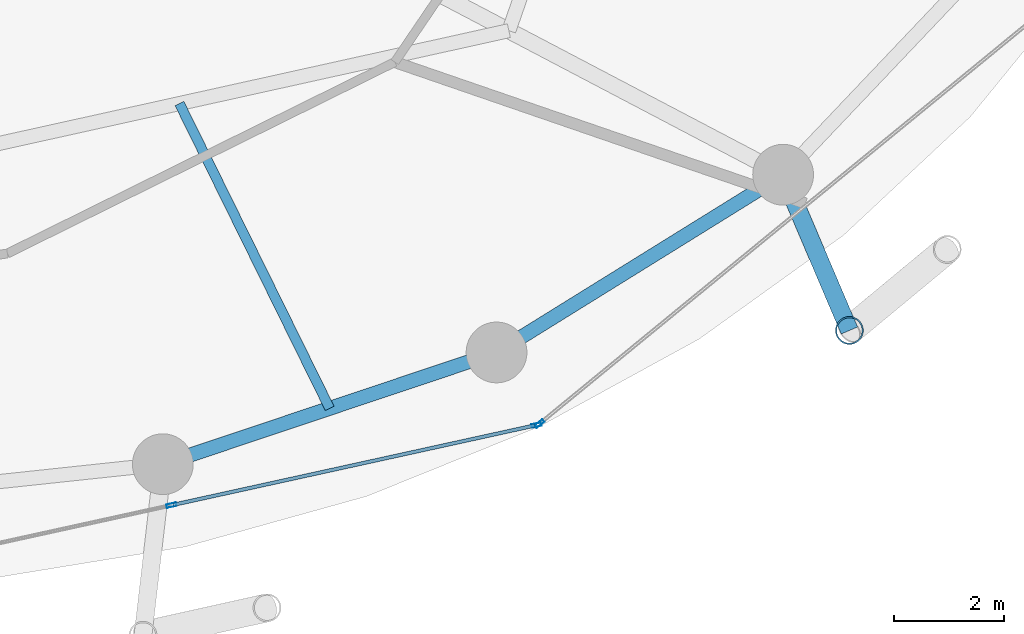
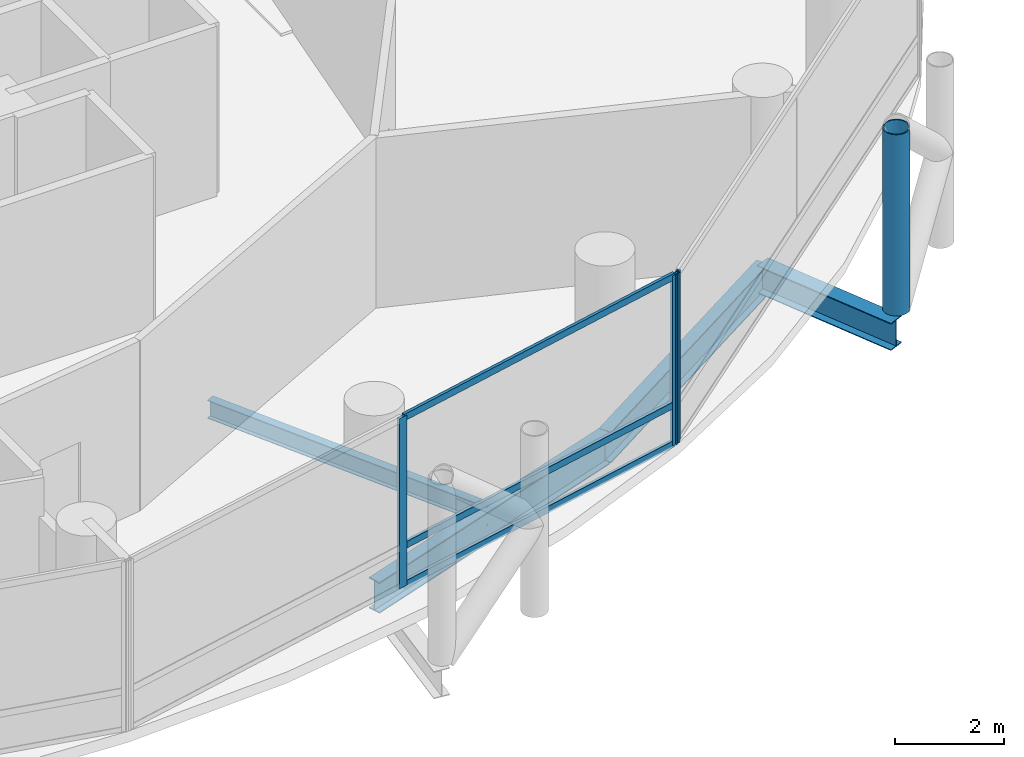
# One storey, part 8 of 24: 7 members, 4 beams, 2 elements without a shape of their own.
"""IFC4 building model written with IfcOpenShell, lengths in metres."""

from ifc_helpers import new_model, si_unit, direction, frame, origin, origin_2d, place, context, subcontext, project, spatial, hollow_rectangle, hollow_circle, i_section, extrude, material, layer, layer_set, material_profile, profile_set, type_object, element, aggregate, save


model = new_model("IFC4")

# Units and contexts
model_context = context("Model", 3, precision=1e-05, world=origin(), true_north=direction((0.0, 1.0)))
body_context = subcontext(model_context, "Body", "Model", "MODEL_VIEW")
ifc_project = project(units=[si_unit("LENGTHUNIT", "METRE"), si_unit("AREAUNIT", "SQUARE_METRE"), si_unit("VOLUMEUNIT", "CUBIC_METRE"), si_unit("PLANEANGLEUNIT", "RADIAN"), si_unit("MASSUNIT", "GRAM", prefix="KILO")], contexts=[model_context])

# Site, building, storey
site_placement = place(None, origin())
site = spatial("IfcSite", under=ifc_project, at=site_placement, CompositionType="ELEMENT")
building_placement = place(site_placement, origin())
building = spatial("IfcBuilding", under=site, at=building_placement, Name="Nuhasar Tower", CompositionType="ELEMENT")
storey_placement = place(building_placement, frame((0.0, 0.0, 69.60009765625)))
storey = spatial("IfcBuildingStorey", under=building, at=storey_placement, Name="L16", CompositionType="ELEMENT", Elevation=69.60009765625)

# Beams
ifc_material_1 = material(Name="Steel S355", Category="steel")
ifc_material_profile_1 = material_profile(ifc_material_1, i_section(OverallWidth=0.177978515625, OverallDepth=0.406005859375, WebThickness=0.0078125, FlangeThickness=0.0126953125, at=origin_2d()), Name="W16X40")
ifc_profile_set_1 = profile_set([ifc_material_profile_1], Name="Steel S355")
beam_type_1 = type_object("IfcBeamType", Name="BM-JST-W16X40", PredefinedType="JOIST", material=ifc_profile_set_1)
beam_1_placement = place(storey_placement, frame((45.783935546875, 13.77001953125, -0.453125), z_axis=(0.442126747458, -0.89695258469, 0.0), x_axis=(0.89695258469, 0.442126747458, 0.0)))
element("IfcBeam", 1, at=beam_1_placement, inside=storey, type_object=beam_type_1, Name="L16 Secondary Floor Joist 02", PredefinedType="JOIST", context=body_context, shape_type="SweptSolid", body=[
    extrude(i_section(OverallWidth=0.177978515625, OverallDepth=0.406005859375, WebThickness=0.0078125, FlangeThickness=0.0126953125, at=origin_2d()), origin(), (0.0, 0.0, 1.0), 6.152099609375),
])
ifc_material_profile_2 = material_profile(ifc_material_1, i_section(OverallWidth=0.256103515625, OverallDepth=0.693115234375, WebThickness=0.014404296875, FlangeThickness=0.023681640625, at=origin_2d()), Name="W27X114")
ifc_profile_set_2 = profile_set([ifc_material_profile_2], Name="Steel S355")
beam_type_2 = type_object("IfcBeamType", Name="BM-RING-W27X114", PredefinedType="SPANDREL", material=ifc_profile_set_2)
beam_2_placement = place(storey_placement, frame((45.48291015625, 7.239990234375, -0.59716796875), z_axis=(0.94826097201, 0.317491935271, 0.0), x_axis=(-0.317491935271, 0.94826097201, 0.0)))
element("IfcBeam", 2, at=beam_2_placement, inside=storey, type_object=beam_type_2, Name="L16 Perimeter Ring Spandrel 20", PredefinedType="SPANDREL", context=body_context, shape_type="SweptSolid", body=[
    extrude(i_section(OverallWidth=0.256103515625, OverallDepth=0.693115234375, WebThickness=0.014404296875, FlangeThickness=0.023681640625, at=origin_2d()), origin(), (0.0, 0.0, 1.0), 6.37158203125),
])
beam_3_placement = place(storey_placement, frame((51.52490234375, 9.262939453125, -0.59716796875), z_axis=(0.849795216549, 0.527112976439, 0.0), x_axis=(-0.527112976439, 0.849795216549, 0.0)))
element("IfcBeam", 3, at=beam_3_placement, inside=storey, type_object=beam_type_2, Name="L16 Perimeter Ring Spandrel 21", PredefinedType="SPANDREL", context=body_context, shape_type="SweptSolid", body=[
    extrude(i_section(OverallWidth=0.256103515625, OverallDepth=0.693115234375, WebThickness=0.014404296875, FlangeThickness=0.023681640625, at=origin_2d()), origin(), (0.0, 0.0, 1.0), 6.10498046875),
])
ifc_material_profile_3 = material_profile(ifc_material_1, i_section(OverallWidth=0.323974609375, OverallDepth=0.611083984375, WebThickness=0.0126953125, FlangeThickness=0.01904296875, at=origin_2d()), Name="W24X104")
ifc_profile_set_3 = profile_set([ifc_material_profile_3], Name="Steel S355")
beam_type_3 = type_object("IfcBeamType", Name="BM-TIE-W24X104", PredefinedType="BEAM", material=ifc_profile_set_3)
beam_4_placement = place(storey_placement, frame((56.712890625, 12.48095703125, -0.55615234375), z_axis=(0.391601084021, -0.920135093882, 0.0), x_axis=(0.920135093882, 0.391601084021, 0.0)))
element("IfcBeam", 4, at=beam_4_placement, inside=storey, type_object=beam_type_3, Name="L16 Exoskeleton Node Tie Beam 11", PredefinedType="BEAM", context=body_context, shape_type="SweptSolid", body=[
    extrude(i_section(OverallWidth=0.323974609375, OverallDepth=0.611083984375, WebThickness=0.0126953125, FlangeThickness=0.01904296875, at=origin_2d()), origin(), (0.0, 0.0, 1.0), 3.06494140625),
])

# Curtain wall, members
ifc_material_2 = material(Name="Aluminium 6063-T6", Category="aluminium")
ifc_layer = layer(ifc_material_2, 0.199951171875)
ifc_layer_set = layer_set([ifc_layer], Name="Aluminium 6063-T6")
curtain_wall_type = type_object("IfcCurtainWallType", Name="CW-Z1-OFF", PredefinedType="NOTDEFINED", material=ifc_layer_set)
curtain_wall_1_placement = place(storey_placement, origin())
curtain_wall_1 = element("IfcCurtainWall", 5, at=curtain_wall_1_placement, inside=storey, type_object=curtain_wall_type, Name="L16 Unitised Curtain Wall 10", PredefinedType="NOTDEFINED")
ifc_material_profile_4 = material_profile(ifc_material_2, hollow_rectangle(XDim=0.06494140625, YDim=0.179931640625, WallThickness=0.0048828125, at=origin_2d()), Name="CWM-2")
ifc_profile_set_4 = profile_set([ifc_material_profile_4], Name="Aluminium 6063-T6")
member_type_1 = type_object("IfcMemberType", Name="CW-MUL-S2", PredefinedType="MULLION", material=ifc_profile_set_4)
member_1_placement = place(storey_placement, frame((45.639892578125, 6.49755859375, 0.0), z_axis=(0.0, 0.0, 1.0), x_axis=(-0.214398737637, 0.976746221544, 0.0)))
member_1 = element("IfcMember", 6, at=member_1_placement, type_object=member_type_1, Name="CW-Z1 mullion 2", PredefinedType="MULLION", context=body_context, shape_type="SweptSolid", body=[
    extrude(hollow_rectangle(XDim=0.06494140625, YDim=0.179931640625, WallThickness=0.0048828125, at=origin_2d()), origin(), (0.0, 0.0, 1.0), 3.7998046875),
])
member_2_placement = place(storey_placement, frame((52.248291015625, 7.947998046875, 0.0), z_axis=(0.0, 0.0, 1.0), x_axis=(-0.214398737637, 0.976746221544, 0.0)))
member_2 = element("IfcMember", 7, at=member_2_placement, type_object=member_type_1, Name="CW-Z1 mullion 3", PredefinedType="MULLION", context=body_context, shape_type="SweptSolid", body=[
    extrude(hollow_rectangle(XDim=0.06494140625, YDim=0.179931640625, WallThickness=0.0048828125, at=origin_2d()), origin(), (0.0, 0.0, 1.0), 3.7998046875),
])

# Curtain wall, member
curtain_wall_2_placement = place(storey_placement, origin())
curtain_wall_2 = element("IfcCurtainWall", 8, at=curtain_wall_2_placement, inside=storey, type_object=curtain_wall_type, Name="L16 Unitised Curtain Wall 11", PredefinedType="NOTDEFINED")
member_3_placement = place(storey_placement, frame((52.30517578125, 7.9755859375, 0.0), z_axis=(0.0, 0.0, 1.0), x_axis=(-0.633744593376, 0.773542364946, 0.0)))
member_3 = element("IfcMember", 9, at=member_3_placement, type_object=member_type_1, Name="CW-Z1 mullion 1", PredefinedType="MULLION", context=body_context, shape_type="SweptSolid", body=[
    extrude(hollow_rectangle(XDim=0.06494140625, YDim=0.179931640625, WallThickness=0.0048828125, at=origin_2d()), origin(), (0.0, 0.0, 1.0), 3.7998046875),
])
aggregate(curtain_wall_2, [member_3])

# Member
ifc_material_profile_5 = material_profile(ifc_material_2, hollow_rectangle(XDim=0.06494140625, YDim=0.14990234375, WallThickness=0.00439453125, at=origin_2d()), Name="CWT-2")
ifc_profile_set_5 = profile_set([ifc_material_profile_5], Name="Aluminium 6063-T6")
member_type_2 = type_object("IfcMemberType", Name="CW-TRN-S2", PredefinedType="USERDEFINED", material=ifc_profile_set_5)
member_4_placement = place(storey_placement, frame((45.671630859375, 6.50439453125, 0.032470703125), z_axis=(0.976741923778, 0.214418316228, 0.0), x_axis=(-0.214418316228, 0.976741923778, 0.0)))
member_4 = element("IfcMember", 10, at=member_4_placement, type_object=member_type_2, Name="CW-Z1 transom 2.1", ObjectType="TRANSOM", PredefinedType="USERDEFINED", context=body_context, shape_type="SweptSolid", body=[
    extrude(hollow_rectangle(XDim=0.06494140625, YDim=0.14990234375, WallThickness=0.00439453125, at=origin_2d()), origin(), (0.0, 0.0, 1.0), 6.70068359375),
])

member_5_placement = place(storey_placement, frame((45.671630859375, 6.50439453125, 0.89990234375), z_axis=(0.976741923778, 0.214418316228, 0.0), x_axis=(-0.214418316228, 0.976741923778, 0.0)))
member_5 = element("IfcMember", 11, at=member_5_placement, type_object=member_type_2, Name="CW-Z1 transom 2.2", ObjectType="TRANSOM", PredefinedType="USERDEFINED", context=body_context, shape_type="SweptSolid", body=[
    extrude(hollow_rectangle(XDim=0.06494140625, YDim=0.14990234375, WallThickness=0.00439453125, at=origin_2d()), origin(), (0.0, 0.0, 1.0), 6.70068359375),
])

member_6_placement = place(storey_placement, frame((45.671630859375, 6.50439453125, 3.767333984375), z_axis=(0.976741923778, 0.214418316228, 0.0), x_axis=(-0.214418316228, 0.976741923778, 0.0)))
member_6 = element("IfcMember", 12, at=member_6_placement, type_object=member_type_2, Name="CW-Z1 transom 2.3", ObjectType="TRANSOM", PredefinedType="USERDEFINED", context=body_context, shape_type="SweptSolid", body=[
    extrude(hollow_rectangle(XDim=0.06494140625, YDim=0.14990234375, WallThickness=0.00439453125, at=origin_2d()), origin(), (0.0, 0.0, 1.0), 6.70068359375),
])

aggregate(curtain_wall_1, [member_1, member_2, member_4, member_5, member_6])

ifc_material_3 = material(Name="Steel S460", Category="steel")
ifc_material_profile_6 = material_profile(ifc_material_3, hollow_circle(Radius=0.25390625, WallThickness=0.025390625, at=origin_2d()), Name="HSS508X25.4")
ifc_profile_set_6 = profile_set([ifc_material_profile_6], Name="Steel S460")
member_type_3 = type_object("IfcMemberType", Name="EXO-BRONZE-508", PredefinedType="BRACE", material=ifc_profile_set_6)
member_7_placement = place(storey_placement, frame((57.9130859375, 9.660888671875, 0.0), z_axis=(0.0, 0.0, 1.0), x_axis=(1.0, 0.0, 0.0)))
element("IfcMember", 13, at=member_7_placement, inside=storey, type_object=member_type_3, Name="L16 Exoskeleton Chord Column EC-11A", PredefinedType="BRACE", context=body_context, shape_type="SweptSolid", body=[
    extrude(hollow_circle(Radius=0.25390625, WallThickness=0.025390625, at=origin_2d()), origin(), (0.0, 0.0, 1.0), 4.0498046875),
])

save(model, "model.ifc")
